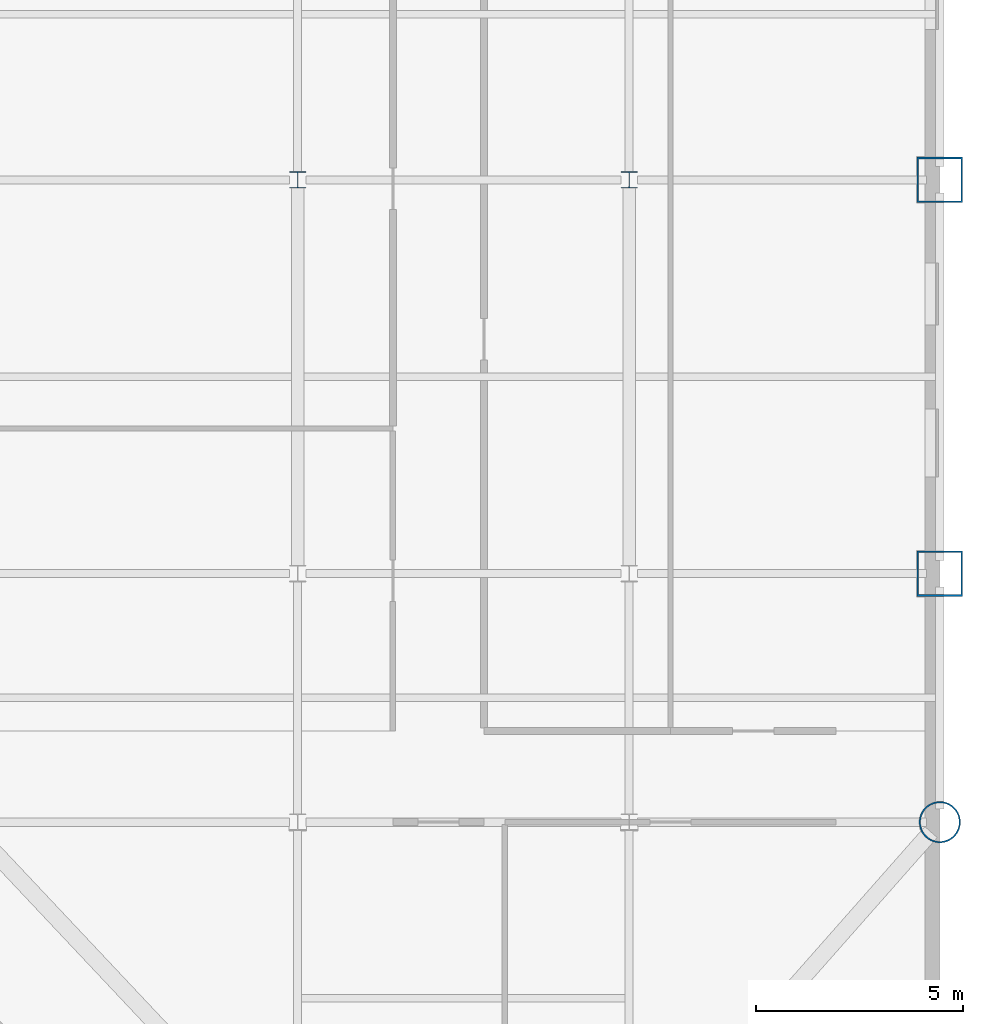
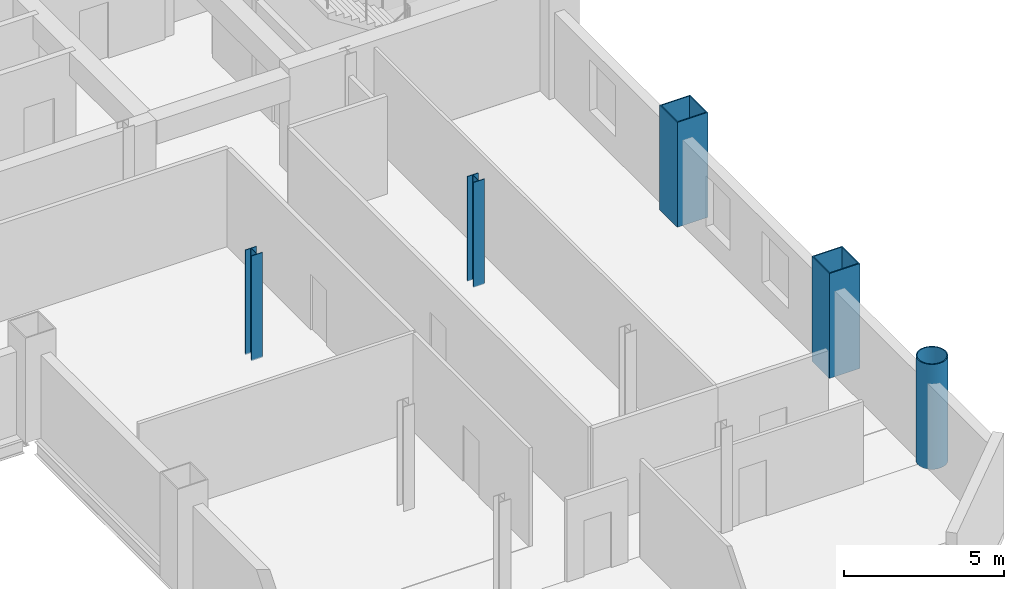
# One storey, part 2 of 9: 5 columns.
"""IFC4 building model written with IfcOpenShell, lengths in metres."""

from ifc_helpers import new_model, si_unit, direction, frame, origin, origin_2d, place, context, subcontext, project, spatial, hollow_rectangle, hollow_circle, i_section, extrude, material, material_profile, profile_set, type_object, element, save


model = new_model("IFC4")

# Units and contexts
model_context = context("Model", 3, precision=1e-05, world=origin(), true_north=direction((0.0, 1.0)))
body_context = subcontext(model_context, "Body", "Model", "MODEL_VIEW")
ifc_project = project(units=[si_unit("LENGTHUNIT", "METRE"), si_unit("AREAUNIT", "SQUARE_METRE"), si_unit("VOLUMEUNIT", "CUBIC_METRE"), si_unit("PLANEANGLEUNIT", "RADIAN"), si_unit("MASSUNIT", "GRAM", prefix="KILO")], contexts=[model_context])

# Site, building, storey
site_placement = place(None, origin())
site = spatial("IfcSite", under=ifc_project, at=site_placement, CompositionType="ELEMENT")
building_placement = place(site_placement, origin())
building = spatial("IfcBuilding", under=site, at=building_placement, Name="Qianrong Seaharbour Tower", CompositionType="ELEMENT")
storey_placement = place(building_placement, frame((0.0, 0.0, 155.0)))
storey = spatial("IfcBuildingStorey", under=building, at=storey_placement, Name="L37", CompositionType="ELEMENT", Elevation=155.0)

# Columns
ifc_material = material(Name="Structural steel SN490B", Category="steel")
ifc_material_profile_1 = material_profile(ifc_material, hollow_rectangle(XDim=1.10009765625, YDim=1.10009765625, WallThickness=0.0400390625, at=origin_2d()), Name="BOX1100x1100x40")
ifc_profile_set_1 = profile_set([ifc_material_profile_1], Name="Structural steel SN490B")
column_type_1 = type_object("IfcColumnType", Name="COL-CFT-1100", PredefinedType="COLUMN", material=ifc_profile_set_1)
for number, where, z_axis, x_axis, name in (
    (1, (64.0, 18.5, 0.0), (0.0, 0.0, 1.0), (1.0, 0.0, 0.0), "L37 Column MC-3 at G9/GD"),
    (2, (64.0, 28.0, 0.0), (0.0, 0.0, 1.0), (1.0, 0.0, 0.0), "L37 Column MC-3 at G9/GE"),
):
    element("IfcColumn", number, at=place(storey_placement, frame(where, z_axis=z_axis, x_axis=x_axis)), inside=storey, type_object=column_type_1, Name=name, PredefinedType="COLUMN", context=body_context, shape_type="SweptSolid", body=[
        extrude(hollow_rectangle(XDim=1.10009765625, YDim=1.10009765625, WallThickness=0.0400390625, at=origin_2d()), origin(), (0.0, 0.0, 1.0), 4.0),
    ])
ifc_material_profile_2 = material_profile(ifc_material, hollow_circle(Radius=0.5, WallThickness=0.035888671875, at=origin_2d()), Name="CHS1000x36")
ifc_profile_set_2 = profile_set([ifc_material_profile_2], Name="Structural steel SN490B")
column_type_2 = type_object("IfcColumnType", Name="COL-CHS-1000", PredefinedType="COLUMN", material=ifc_profile_set_2)
column_placement = place(storey_placement, frame((64.0, 12.5, 0.0), z_axis=(0.0, 0.0, 1.0), x_axis=(1.0, 0.0, 0.0)))
element("IfcColumn", 3, at=column_placement, inside=storey, type_object=column_type_2, Name="L37 Column CC-2 at G9/GC", PredefinedType="COLUMN", context=body_context, shape_type="SweptSolid", body=[
    extrude(hollow_circle(Radius=0.5, WallThickness=0.035888671875, at=origin_2d()), origin(), (0.0, 0.0, 1.0), 4.0),
])
ifc_material_profile_3 = material_profile(ifc_material, i_section(OverallWidth=0.39990234375, OverallDepth=0.39990234375, WebThickness=0.012939453125, FlangeThickness=0.02099609375, FilletRadius=0.02197265625, at=origin_2d()), Name="H400x400x13x21")
ifc_profile_set_3 = profile_set([ifc_material_profile_3], Name="Structural steel SN490B")
column_type_3 = type_object("IfcColumnType", Name="COL-INT-H400", PredefinedType="COLUMN", material=ifc_profile_set_3)
for number, where, z_axis, x_axis, name in (
    (4, (48.5, 28.0, 0.0), (0.0, 0.0, 1.0), (1.0, 0.0, 0.0), "L37 Column IC-3 at G7/GE"),
    (5, (56.5, 28.0, 0.0), (0.0, 0.0, 1.0), (1.0, 0.0, 0.0), "L37 Column IC-3 at G8/GE"),
):
    element("IfcColumn", number, at=place(storey_placement, frame(where, z_axis=z_axis, x_axis=x_axis)), inside=storey, type_object=column_type_3, Name=name, PredefinedType="COLUMN", context=body_context, shape_type="SweptSolid", body=[
        extrude(i_section(OverallWidth=0.39990234375, OverallDepth=0.39990234375, WebThickness=0.012939453125, FlangeThickness=0.02099609375, FilletRadius=0.02197265625, at=origin_2d()), origin(), (0.0, 0.0, 1.0), 4.0),
    ])

save(model, "model.ifc")
